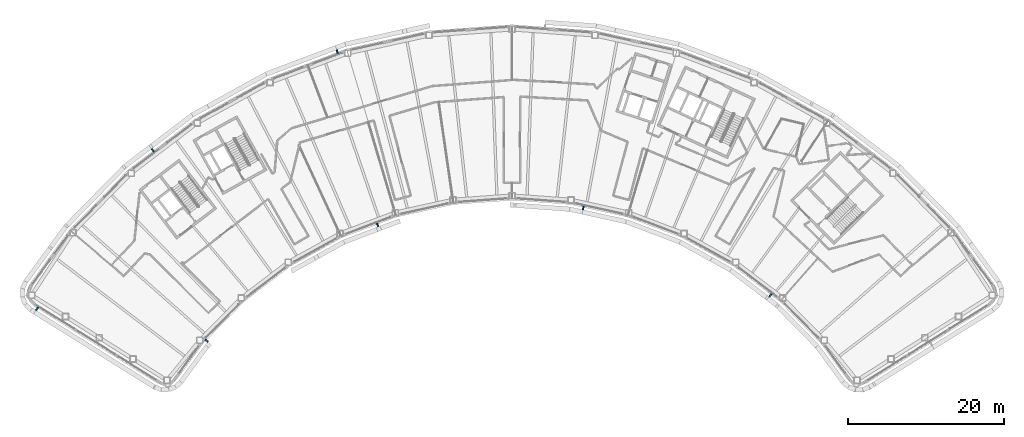
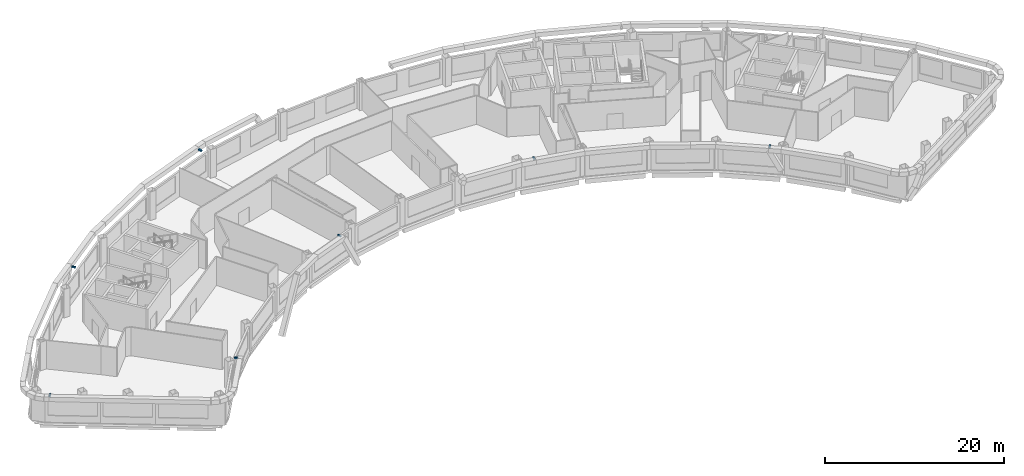
# One storey, part 12 of 16: 7 discrete accessories.
"""IFC4 building model written with IfcOpenShell, lengths in metres."""

import ifcopenshell
import ifcopenshell.guid

model = None  # the IFC model being written
_history = None  # IfcOwnerHistory: only IFC2X3 demands one
_inside = {}  # id of a spatial element -> (the spatial element, [elements in it])
_under = {}  # id of a project, library or spatial element -> (it, [spatial elements below it])
_declared = {}  # id of a project -> (the project, [libraries it declares])
_typed = {}  # id of a type object -> (the type object, [elements of that type])
_made_of = {}  # id of a material, layer set ... -> (it, [elements and type objects made of it])


def new_model(schema):
    """Start an empty IFC model of exactly this schema.

    Asked for "IFC4X3", IfcOpenShell would pick the latest addendum, in which some entities
    have other attributes; the version numbers below select the first issue.
    IFC2X3 requires an IfcOwnerHistory on every rooted entity: one is made here for all.
    """
    global model, _history
    if schema == "IFC4X3":
        model = ifcopenshell.file(schema_version=(4, 3, 0, 0))
    else:
        model = ifcopenshell.file(schema=schema)
    _inside.clear()
    _under.clear()
    _declared.clear()
    _typed.clear()
    _made_of.clear()
    _history = None
    if model.schema == "IFC2X3":
        org = make("IfcOrganization", Name="unknown")
        user = make(
            "IfcPersonAndOrganization",
            ThePerson=make("IfcPerson", FamilyName="unknown"),
            TheOrganization=org,
        )
        app = make(
            "IfcApplication",
            ApplicationDeveloper=org,
            Version="unknown",
            ApplicationFullName="unknown",
            ApplicationIdentifier="unknown",
        )
        _history = make(
            "IfcOwnerHistory",
            OwningUser=user,
            OwningApplication=app,
            ChangeAction="ADDED",
            CreationDate=0,
        )
    return model


def make(cls, **values):
    """One entity of the class cls with the attributes given. An attribute that is None is left unset."""
    return model.create_entity(
        cls, **{name: value for name, value in values.items() if value is not None}
    )


def rooted(cls, **values):
    """An entity with a GlobalId (a new one), such as an element, a storey or a relation."""
    return make(cls, GlobalId=ifcopenshell.guid.new(), OwnerHistory=_history, **values)


def si_unit(unit_type, name, prefix=None):
    """IfcSIUnit, for example si_unit("LENGTHUNIT", "METRE", prefix="MILLI")."""
    return make("IfcSIUnit", UnitType=unit_type, Prefix=prefix, Name=name)


def assignment(units):
    """IfcUnitAssignment: the units of a project."""
    return None if units is None else make("IfcUnitAssignment", Units=units)


def point(xyz):
    """IfcCartesianPoint."""
    return None if xyz is None else make("IfcCartesianPoint", Coordinates=xyz)


def direction(xyz):
    """IfcDirection."""
    return None if xyz is None else make("IfcDirection", DirectionRatios=xyz)


def frame(location, z_axis=None, x_axis=None):
    """IfcAxis2Placement3D, a coordinate frame: its origin and axes. An axis left out is left unset."""
    return make(
        "IfcAxis2Placement3D",
        Location=point(location),
        Axis=direction(z_axis),
        RefDirection=direction(x_axis),
    )


def frame_2d(location, x_axis=None):
    """IfcAxis2Placement2D, a coordinate frame in the plane: its origin and x axis."""
    return make(
        "IfcAxis2Placement2D", Location=point(location), RefDirection=direction(x_axis)
    )


def origin():
    """The frame at (0, 0, 0) with its axes left unset."""
    return frame((0.0, 0.0, 0.0))


def origin_2d():
    """The frame at (0, 0) in the plane with its x axis left unset."""
    return frame_2d((0.0, 0.0))


def place(relative_to, where):
    """IfcLocalPlacement: puts the frame where relative to a parent placement (None: the world)."""
    return make(
        "IfcLocalPlacement", PlacementRelTo=relative_to, RelativePlacement=where
    )


def context(
    kind, dimensions, precision=None, world=None, true_north=None, identifier=None
):
    """IfcGeometricRepresentationContext, for example the 3D "Model" context."""
    return make(
        "IfcGeometricRepresentationContext",
        ContextIdentifier=identifier,
        ContextType=kind,
        CoordinateSpaceDimension=dimensions,
        Precision=precision,
        WorldCoordinateSystem=world,
        TrueNorth=true_north,
    )


def subcontext(parent, identifier, kind, view, scale=None):
    """IfcGeometricRepresentationSubContext, for example "Body" below "Model"."""
    return make(
        "IfcGeometricRepresentationSubContext",
        ContextIdentifier=identifier,
        ContextType=kind,
        ParentContext=parent,
        TargetScale=scale,
        TargetView=view,
    )


def project(units=None, contexts=None):
    """IfcProject with its units and contexts."""
    return rooted(
        "IfcProject",
        Name="project",
        RepresentationContexts=contexts,
        UnitsInContext=assignment(units),
    )


def spatial(cls, under=None, at=None, **own):
    """A site, building, storey or space (cls), placed at a placement, below another one or the project."""
    s = rooted(cls, ObjectPlacement=at, **own)
    if under is not None:
        _under.setdefault(under.id(), (under, []))[1].append(s)
    return s


def profile(cls, at=None, kind="AREA", **sizes):
    """A parametric profile (cls). Its sizes go by their IFC names, for example OverallWidth=200.0."""
    return make(cls, ProfileType=kind, Position=at, **sizes)


def rectangle(**sizes):
    """IfcRectangleProfileDef."""
    return profile("IfcRectangleProfileDef", **sizes)


def extrude(swept, where, along, depth):
    """IfcExtrudedAreaSolid: the profile swept, set in the frame where, extruded along a direction by depth."""
    return make(
        "IfcExtrudedAreaSolid",
        SweptArea=swept,
        Position=where,
        ExtrudedDirection=direction(along),
        Depth=depth,
    )


def shape(context_of_items, identifier, shape_type, items):
    """IfcShapeRepresentation: the items that make up one representation, for example the "Body"."""
    return make(
        "IfcShapeRepresentation",
        ContextOfItems=context_of_items,
        RepresentationIdentifier=identifier,
        RepresentationType=shape_type,
        Items=items,
    )


def material(Name=None, Category=None):
    """IfcMaterial."""
    return make("IfcMaterial", Name=Name, Category=Category)


def made_of(thing, what):
    """Note that an element or type object is made of a material, layer set ...; save() writes the relation."""
    if what is not None:
        _made_of.setdefault(what.id(), (what, []))[1].append(thing)
    return thing


def type_object(cls, material=None, **own):
    """A type object (cls), such as IfcWallType, which elements share."""
    return made_of(rooted(cls, **own), material)


def element(
    cls,
    number,
    at=None,
    inside=None,
    cuts=None,
    type_object=None,
    material=None,
    context=None,
    identifier="Body",
    shape_type=None,
    held_by="IfcProductDefinitionShape",
    body=None,
    shapes=None,
    **own,
):
    """One element of the class cls, such as IfcWall. Its Tag is "e" and its number.

    at: its placement. inside: the storey or other place that contains it. cuts: it is an
    opening in that element (IfcRelVoidsElement). A single representation is given by context,
    identifier, shape_type and body (its items); several are given by shapes. held_by: the class
    of the entity that holds the representations. save() writes the other relations.
    """
    e = rooted(cls, Tag="e%d" % number, ObjectPlacement=at, **own)
    if body is not None:
        shapes = [shape(context, identifier, shape_type, body)]
    if shapes is not None:
        e.Representation = make(held_by, Representations=shapes)
    if inside is not None:
        _inside.setdefault(inside.id(), (inside, []))[1].append(e)
    if cuts is not None:
        rooted(
            "IfcRelVoidsElement", RelatingBuildingElement=cuts, RelatedOpeningElement=e
        )
    if type_object is not None:
        _typed.setdefault(type_object.id(), (type_object, []))[1].append(e)
    return made_of(e, material)


def aggregate(whole, parts):
    """IfcRelAggregates: a whole, such as a stair, and the parts it consists of."""
    return rooted("IfcRelAggregates", RelatingObject=whole, RelatedObjects=parts)


def save(model, path):
    """Write the relations noted so far, then the file.

    IfcRelAggregates (storeys below a building ...), IfcRelContainedInSpatialStructure (elements
    in a storey), IfcRelDefinesByType, IfcRelAssociatesMaterial and IfcRelDeclares: one each for
    every whole, place, type object, material and project.
    """
    for whole, parts in _under.values():
        aggregate(whole, parts)
    for where, things in _inside.values():
        rooted(
            "IfcRelContainedInSpatialStructure",
            RelatedElements=things,
            RelatingStructure=where,
        )
    for kind, things in _typed.values():
        rooted("IfcRelDefinesByType", RelatedObjects=things, RelatingType=kind)
    for what, things in _made_of.values():
        rooted("IfcRelAssociatesMaterial", RelatedObjects=things, RelatingMaterial=what)
    for by, libraries in _declared.values():
        rooted("IfcRelDeclares", RelatingContext=by, RelatedDefinitions=libraries)
    model.write(path)


model = new_model("IFC4")

# Units and contexts
model_context = context("Model", 3, precision=1e-05, world=origin(), true_north=direction((0.0, 1.0)))
body_context = subcontext(model_context, "Body", "Model", "MODEL_VIEW")
ifc_project = project(units=[si_unit("LENGTHUNIT", "METRE"), si_unit("AREAUNIT", "SQUARE_METRE"), si_unit("VOLUMEUNIT", "CUBIC_METRE"), si_unit("PLANEANGLEUNIT", "RADIAN"), si_unit("MASSUNIT", "GRAM", prefix="KILO")], contexts=[model_context])

# Site, building, storey
site_placement = place(None, origin())
site = spatial("IfcSite", under=ifc_project, at=site_placement, CompositionType="ELEMENT")
building_placement = place(site_placement, origin())
building = spatial("IfcBuilding", under=site, at=building_placement, Name="Tuul Gate Civic Tower", CompositionType="ELEMENT")
storey_placement = place(building_placement, frame((0.0, 0.0, 298.39990234375)))
storey = spatial("IfcBuildingStorey", under=building, at=storey_placement, Name="Level 67", CompositionType="ELEMENT", Elevation=298.39990234375)

# Discrete accessories
ifc_material = material(Name="Stainless steel", Category="steel")
discrete_accessory_type = type_object("IfcDiscreteAccessoryType", Name="Screen bracket", PredefinedType="BRACKET", material=ifc_material)
discrete_accessory_1_placement = place(storey_placement, frame((-15.640380859375, 6.372802734375, 3.75), z_axis=(0.0, 0.0, 1.0), x_axis=(-0.301083628765, 0.953597739348, 0.0)))
element("IfcDiscreteAccessory", 1, at=discrete_accessory_1_placement, inside=storey, type_object=discrete_accessory_type, Name="Screen bracket 12", PredefinedType="BRACKET", context=body_context, shape_type="SweptSolid", body=[
    extrude(rectangle(XDim=0.45068359375, YDim=0.199951171875, at=origin_2d()), origin(), (0.0, 0.0, 1.0), 0.199951171875),
])
discrete_accessory_2_placement = place(storey_placement, frame((-39.3271484375, -6.292236328125, 3.75), z_axis=(0.0, 0.0, 1.0), x_axis=(-0.619889970747, 0.784688743495, 0.0)))
element("IfcDiscreteAccessory", 2, at=discrete_accessory_2_placement, inside=storey, type_object=discrete_accessory_type, Name="Screen bracket 15", PredefinedType="BRACKET", context=body_context, shape_type="SweptSolid", body=[
    extrude(rectangle(XDim=0.4501953125, YDim=0.199951171875, at=origin_2d()), origin(), (0.0, 0.0, 1.0), 0.199951171875),
])
discrete_accessory_3_placement = place(storey_placement, frame((-54.1748046875, -26.66162109375, 3.75), z_axis=(0.0, 0.0, 1.0), x_axis=(-0.609955701999, -0.792435512581, 0.0)))
element("IfcDiscreteAccessory", 3, at=discrete_accessory_3_placement, inside=storey, type_object=discrete_accessory_type, Name="Screen bracket 18", PredefinedType="BRACKET", context=body_context, shape_type="SweptSolid", body=[
    extrude(rectangle(XDim=0.4521484375, YDim=0.199951171875, at=origin_2d()), origin(), (0.0, 0.0, 1.0), 0.199951171875),
])
discrete_accessory_4_placement = place(storey_placement, frame((-32.415771484375, -30.762451171875, 3.75), z_axis=(0.0, 0.0, 1.0), x_axis=(0.756393726756, -0.65411660285, 0.0)))
element("IfcDiscreteAccessory", 4, at=discrete_accessory_4_placement, inside=storey, type_object=discrete_accessory_type, Name="Screen bracket 21", PredefinedType="BRACKET", context=body_context, shape_type="SweptSolid", body=[
    extrude(rectangle(XDim=0.450927734375, YDim=0.199951171875, at=origin_2d()), origin(), (0.0, 0.0, 1.0), 0.199951171875),
])
for number, where, z_axis, x_axis, name in (
    (5, (-10.466796875, -15.88623046875, 3.75), (0.0, 0.0, 1.0), (0.333467922394, -0.942761446356, 0.0), "Screen bracket 24"),
    (6, (15.936279296875, -13.711181640625, 3.75), (0.0, 0.0, 1.0), (-0.176727437619, -0.984259829919, 0.0), "Screen bracket 27"),
):
    element("IfcDiscreteAccessory", number, at=place(storey_placement, frame(where, z_axis=z_axis, x_axis=x_axis)), inside=storey, type_object=discrete_accessory_type, Name=name, PredefinedType="BRACKET", context=body_context, shape_type="SweptSolid", body=[
        extrude(rectangle(XDim=0.4501953125, YDim=0.199951171875, at=origin_2d()), origin(), (0.0, 0.0, 1.0), 0.199951171875),
    ])
discrete_accessory_5_placement = place(storey_placement, frame((39.96630859375, -24.91064453125, 3.75), z_axis=(0.0, 0.0, 1.0), x_axis=(-0.640754450453, -0.767745878677, 0.0)))
element("IfcDiscreteAccessory", 7, at=discrete_accessory_5_placement, inside=storey, type_object=discrete_accessory_type, Name="Screen bracket 30", PredefinedType="BRACKET", context=body_context, shape_type="SweptSolid", body=[
    extrude(rectangle(XDim=0.450439453125, YDim=0.199951171875, at=origin_2d()), origin(), (0.0, 0.0, 1.0), 0.199951171875),
])

save(model, "model.ifc")
